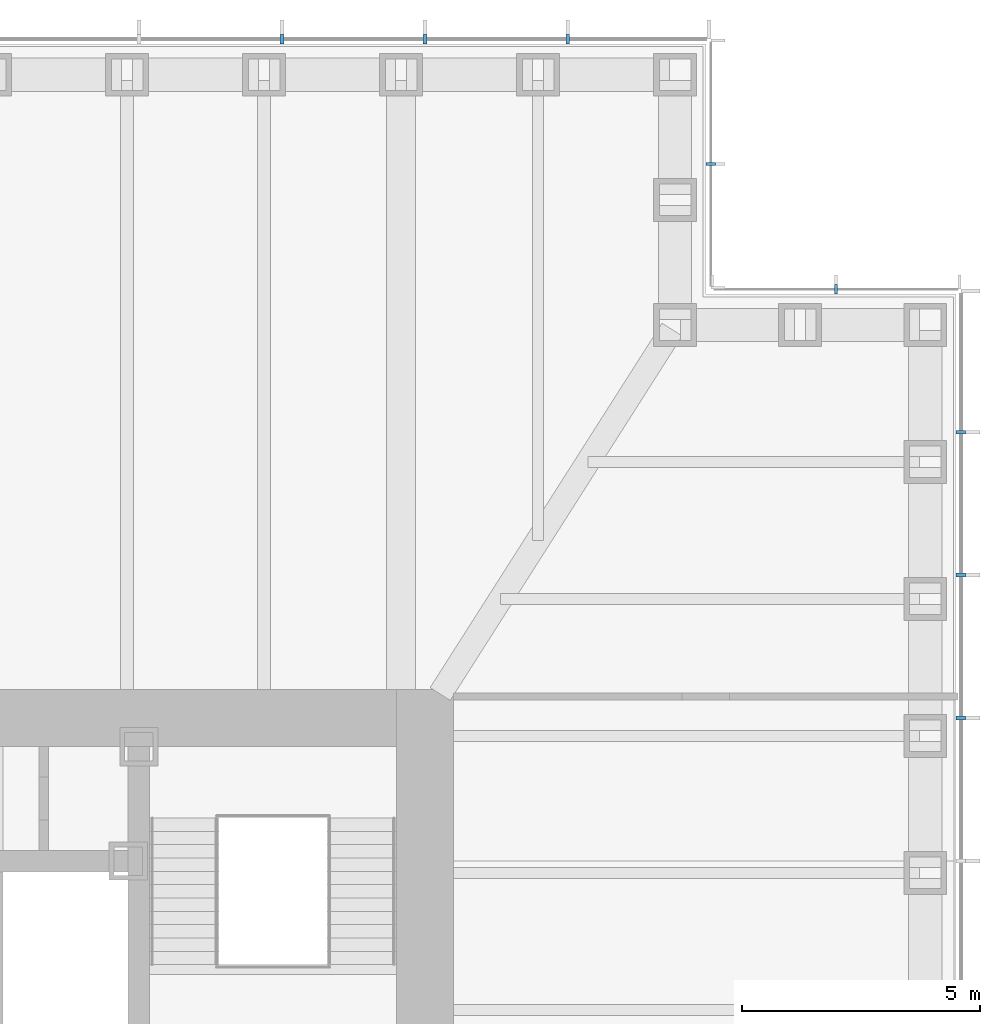
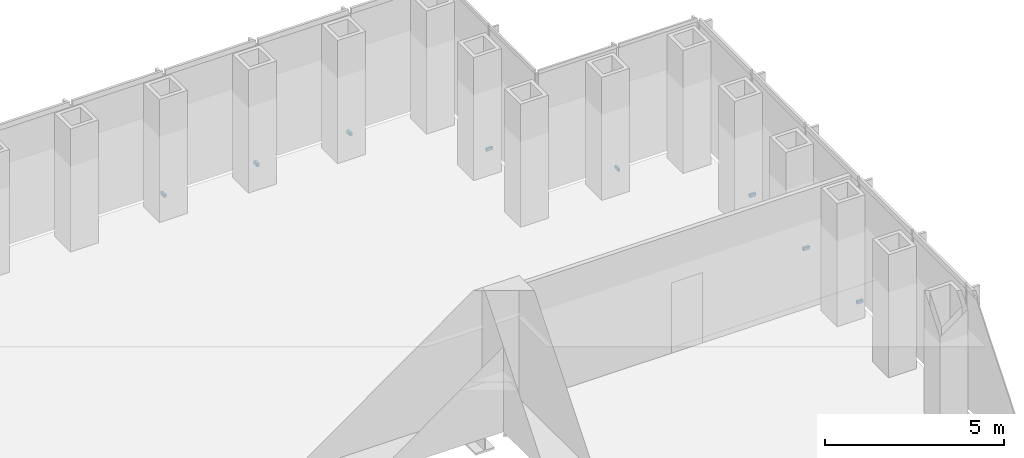
# One storey, part 15 of 16: 8 discrete accessories.
"""IFC4 building model written with IfcOpenShell, lengths in metres."""

from ifc_helpers import new_model, si_unit, direction, frame, origin, origin_2d, place, context, subcontext, project, spatial, rectangle, extrude, element, save


model = new_model("IFC4")

# Units and contexts
model_context = context("Model", 3, precision=1e-05, world=origin(), true_north=direction((0.0, 1.0)))
body_context = subcontext(model_context, "Body", "Model", "MODEL_VIEW")
ifc_project = project(units=[si_unit("LENGTHUNIT", "METRE"), si_unit("AREAUNIT", "SQUARE_METRE"), si_unit("VOLUMEUNIT", "CUBIC_METRE"), si_unit("PLANEANGLEUNIT", "RADIAN"), si_unit("MASSUNIT", "GRAM", prefix="KILO")], contexts=[model_context])

# Site, building, storey
site_placement = place(None, origin())
site = spatial("IfcSite", under=ifc_project, at=site_placement, CompositionType="ELEMENT")
building_placement = place(site_placement, origin())
building = spatial("IfcBuilding", under=site, at=building_placement, Name="Daluyong Arena Tower", CompositionType="ELEMENT")
storey_placement = place(building_placement, frame((0.0, 0.0, 141.699951171875)))
storey = spatial("IfcBuildingStorey", under=building, at=storey_placement, Name="L31", CompositionType="ELEMENT", Elevation=141.699951171875)

# Discrete accessories
for number, where, z_axis, x_axis, name in (
    (1, (79.25, 89.0, -0.10009765625), (0.0, 0.0, 1.0), (0.0, 1.0, 0.0), "curtain wall L31 E anchor bracket 10"),
    (2, (79.25, 92.0, -0.10009765625), (0.0, 0.0, 1.0), (0.0, 1.0, 0.0), "curtain wall L31 E anchor bracket 11"),
    (3, (79.25, 95.0, -0.10009765625), (0.0, 0.0, 1.0), (0.0, 1.0, 0.0), "curtain wall L31 E anchor bracket 12"),
):
    element("IfcDiscreteAccessory", number, at=place(storey_placement, frame(where, z_axis=z_axis, x_axis=x_axis)), inside=storey, Name=name, PredefinedType="BRACKET", context=body_context, shape_type="SweptSolid", body=[
        extrude(rectangle(XDim=0.080078125, YDim=0.199951171875, at=origin_2d()), origin(), (0.0, 0.0, 1.0), 0.10009765625),
    ])
for number, where, z_axis, x_axis, name in (
    (4, (76.625, 98.0, -0.10009765625), (0.0, 0.0, 1.0), (-1.0, 0.0, 0.0), "curtain wall L31 NE-N anchor bracket 2"),
    (5, (74.0, 100.625, -0.10009765625), (0.0, 0.0, 1.0), (0.0, 1.0, 0.0), "curtain wall L31 NE-E anchor bracket 2"),
):
    element("IfcDiscreteAccessory", number, at=place(storey_placement, frame(where, z_axis=z_axis, x_axis=x_axis)), inside=storey, Name=name, PredefinedType="BRACKET", context=body_context, shape_type="SweptSolid", body=[
        extrude(rectangle(XDim=0.06005859375, YDim=0.199951171875, at=origin_2d()), origin(), (0.0, 0.0, 1.0), 0.10009765625),
    ])
for number, where, z_axis, x_axis, name in (
    (6, (71.0, 103.25, -0.10009765625), (0.0, 0.0, 1.0), (-1.0, 0.0, 0.0), "curtain wall L31 N anchor bracket 2"),
    (7, (68.0, 103.25, -0.10009765625), (0.0, 0.0, 1.0), (-1.0, 0.0, 0.0), "curtain wall L31 N anchor bracket 3"),
    (8, (65.0, 103.25, -0.10009765625), (0.0, 0.0, 1.0), (-1.0, 0.0, 0.0), "curtain wall L31 N anchor bracket 4"),
):
    element("IfcDiscreteAccessory", number, at=place(storey_placement, frame(where, z_axis=z_axis, x_axis=x_axis)), inside=storey, Name=name, PredefinedType="BRACKET", context=body_context, shape_type="SweptSolid", body=[
        extrude(rectangle(XDim=0.080078125, YDim=0.199951171875, at=origin_2d()), origin(), (0.0, 0.0, 1.0), 0.10009765625),
    ])

save(model, "model.ifc")
